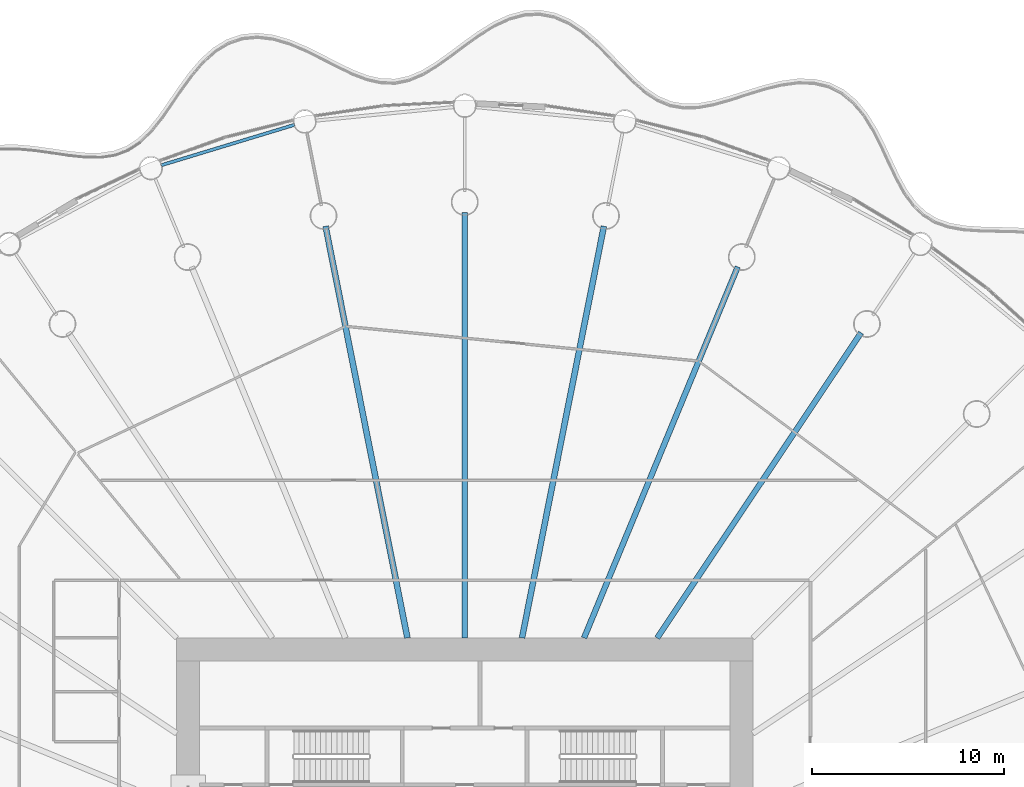
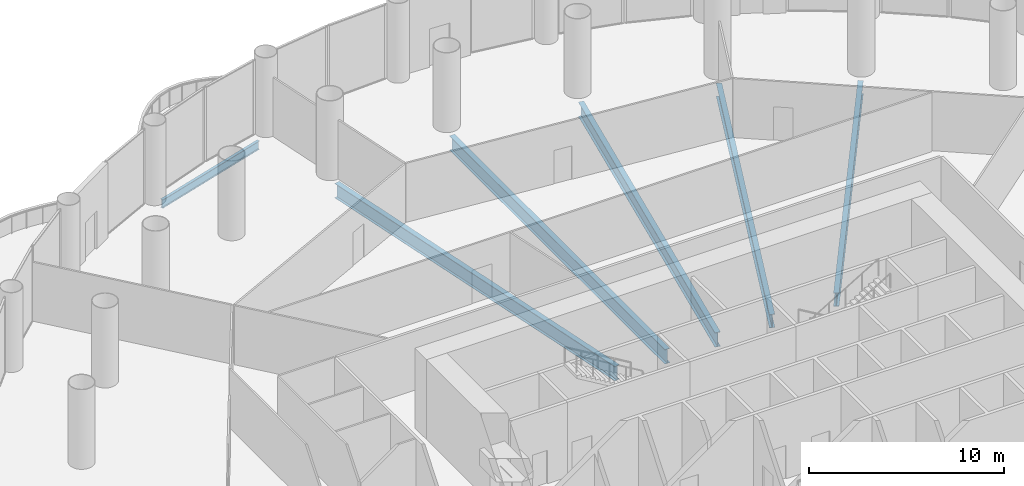
# One storey, part 16 of 35: 6 beams.
"""IFC4 building model written with IfcOpenShell, lengths in metres."""

from ifc_helpers import new_model, si_unit, direction, frame, origin, origin_2d, place, context, subcontext, project, spatial, i_section, extrude, material, material_profile, profile_set, type_object, element, save


model = new_model("IFC4")

# Units and contexts
model_context = context("Model", 3, precision=1e-05, world=origin(), true_north=direction((0.0, 1.0)))
body_context = subcontext(model_context, "Body", "Model", "MODEL_VIEW")
ifc_project = project(units=[si_unit("LENGTHUNIT", "METRE"), si_unit("AREAUNIT", "SQUARE_METRE"), si_unit("VOLUMEUNIT", "CUBIC_METRE"), si_unit("PLANEANGLEUNIT", "RADIAN"), si_unit("MASSUNIT", "GRAM", prefix="KILO")], contexts=[model_context])

# Site, building, storey
site_placement = place(None, origin())
site = spatial("IfcSite", under=ifc_project, at=site_placement, CompositionType="ELEMENT")
building_placement = place(site_placement, origin())
building = spatial("IfcBuilding", under=site, at=building_placement, Name="Corvane Civic Tower", CompositionType="ELEMENT")
storey_placement = place(building_placement, frame((0.0, 0.0, 22.0)))
storey = spatial("IfcBuildingStorey", under=building, at=storey_placement, Name="L04", CompositionType="ELEMENT", Elevation=22.0)

# Beams
ifc_material_1 = material(Name="Steel ASTM A992 Gr 50", Category="steel")
ifc_material_profile_1 = material_profile(ifc_material_1, i_section(OverallWidth=0.165771484375, OverallDepth=0.5283203125, WebThickness=0.009765625, FlangeThickness=0.013671875, at=origin_2d()), Name="W21X50")
ifc_profile_set_1 = profile_set([ifc_material_profile_1], Name="Steel ASTM A992 Gr 50")
beam_type_1 = type_object("IfcBeamType", Name="EDGE BEAM W21X50", PredefinedType="BEAM", material=ifc_profile_set_1)
beam_1_placement = place(storey_placement, frame((-15.814208984375, 39.609375, -0.564208984375), z_axis=(0.956938225664, 0.290291633127, 0.0), x_axis=(-0.290291633127, 0.956938225664, 0.0)))
element("IfcBeam", 1, at=beam_1_placement, inside=storey, type_object=beam_type_1, Name="BM-L04-E31", PredefinedType="BEAM", context=body_context, shape_type="SweptSolid", body=[
    extrude(i_section(OverallWidth=0.165771484375, OverallDepth=0.5283203125, WebThickness=0.009765625, FlangeThickness=0.013671875, at=origin_2d()), origin(), (0.0, 0.0, 1.0), 7.2705078125),
])
ifc_material_2 = material(Name="Steel ASTM A992 Gr 50", Category="steel")
ifc_material_profile_2 = material_profile(ifc_material_2, i_section(OverallWidth=0.2919921875, OverallDepth=0.845703125, WebThickness=0.015380859375, FlangeThickness=0.0244140625, at=origin_2d()), Name="W33X141")
ifc_profile_set_2 = profile_set([ifc_material_profile_2], Name="Steel ASTM A992 Gr 50")
beam_type_2 = type_object("IfcBeamType", Name="FLOOR GIRDER W33X141", PredefinedType="BEAM", material=ifc_profile_set_2)
beam_2_placement = place(storey_placement, frame((6.213134765625, 15.0, -0.722900390625), z_axis=(0.382692360381, 0.923875834355, 0.0), x_axis=(-0.923875834355, 0.382692360381, 0.0)))
element("IfcBeam", 2, at=beam_2_placement, inside=storey, type_object=beam_type_2, Name="BM-L04-G03", PredefinedType="BEAM", context=body_context, shape_type="SweptSolid", body=[
    extrude(i_section(OverallWidth=0.2919921875, OverallDepth=0.845703125, WebThickness=0.015380859375, FlangeThickness=0.0244140625, at=origin_2d()), origin(), (0.0, 0.0, 1.0), 20.9140625),
])
beam_3_placement = place(storey_placement, frame((10.022705078125, 15.0, -0.722900390625), z_axis=(0.555566681385, 0.831471985418, 0.0), x_axis=(-0.831471985418, 0.555566681385, 0.0)))
element("IfcBeam", 3, at=beam_3_placement, inside=storey, type_object=beam_type_2, Name="BM-L04-G04", PredefinedType="BEAM", context=body_context, shape_type="SweptSolid", body=[
    extrude(i_section(OverallWidth=0.2919921875, OverallDepth=0.845703125, WebThickness=0.015380859375, FlangeThickness=0.0244140625, at=origin_2d()), origin(), (0.0, 0.0, 1.0), 19.109619140625),
])
ifc_material_3 = material(Name="Steel ASTM A992 Gr 50", Category="steel")
ifc_material_profile_3 = material_profile(ifc_material_3, i_section(OverallWidth=0.3046875, OverallDepth=0.911865234375, WebThickness=0.015869140625, FlangeThickness=0.02392578125, at=origin_2d()), Name="W36X150")
ifc_profile_set_3 = profile_set([ifc_material_profile_3], Name="Steel ASTM A992 Gr 50")
beam_type_3 = type_object("IfcBeamType", Name="FLOOR GIRDER W36X150", PredefinedType="BEAM", material=ifc_profile_set_3)
beam_4_placement = place(storey_placement, frame((0.0, 15.0, -0.755859375), z_axis=(0.0, 1.0, 0.0), x_axis=(-1.0, 0.0, 0.0)))
element("IfcBeam", 4, at=beam_4_placement, inside=storey, type_object=beam_type_3, Name="BM-L04-G01", PredefinedType="BEAM", context=body_context, shape_type="SweptSolid", body=[
    extrude(i_section(OverallWidth=0.3046875, OverallDepth=0.911865234375, WebThickness=0.015869140625, FlangeThickness=0.02392578125, at=origin_2d()), origin(), (0.0, 0.0, 1.0), 22.14990234375),
])
for number, where, z_axis, x_axis, name in (
    (5, (2.983642578125, 15.0, -0.755859375), (0.195089219638, 0.980785499679, 0.0), (-0.980785499679, 0.195089219638, 0.0), "BM-L04-G02"),
    (6, (-2.983642578125, 15.0, -0.755859375), (-0.195089219638, 0.980785499679, 0.0), (-0.980785499679, -0.195089219638, 0.0), "BM-L04-G32"),
):
    element("IfcBeam", number, at=place(storey_placement, frame(where, z_axis=z_axis, x_axis=x_axis)), inside=storey, type_object=beam_type_3, Name=name, PredefinedType="BEAM", context=body_context, shape_type="SweptSolid", body=[
        extrude(i_section(OverallWidth=0.3046875, OverallDepth=0.911865234375, WebThickness=0.015869140625, FlangeThickness=0.02392578125, at=origin_2d()), origin(), (0.0, 0.0, 1.0), 21.856201171875),
    ])

save(model, "model.ifc")
